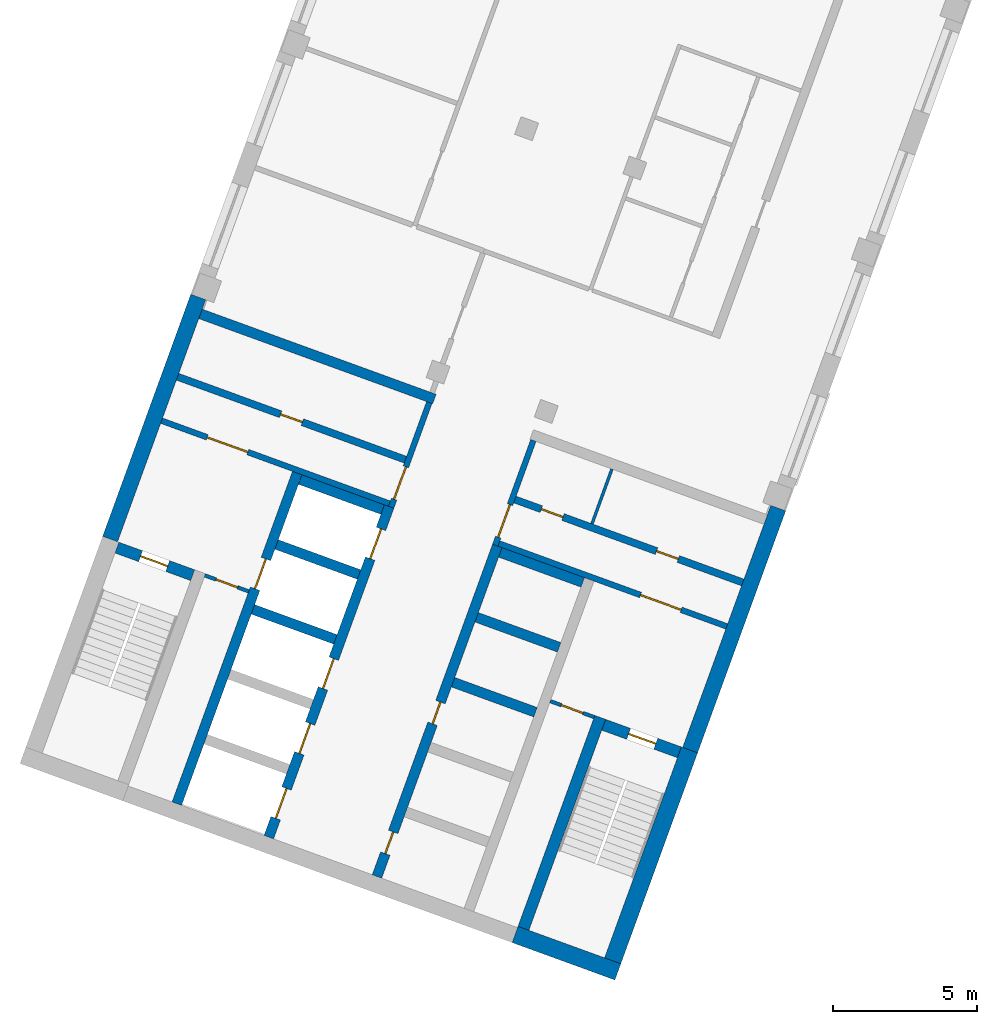
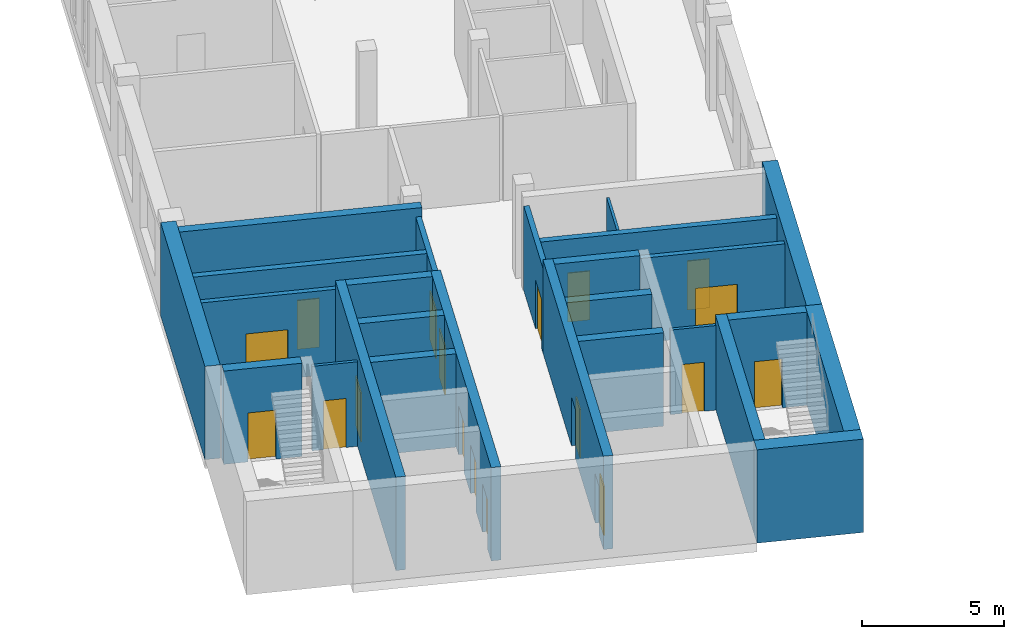
# One storey, part 2 of 8: 26 walls, 18 doors, 18 openings.
"""IFC4 building model written with IfcOpenShell, lengths in metres."""

from ifc_helpers import new_model, si_unit, direction, frame, frame_2d, origin, place, context, subcontext, project, spatial, rectangle, extrude, material, layer, layer_set, type_object, element, fill, save


model = new_model("IFC4")

# Units and contexts
model_context = context("Model", 3, precision=1e-05, world=origin(), true_north=direction((0.0, 1.0)))
body_context = subcontext(model_context, "Body", "Model", "MODEL_VIEW")
ifc_project = project(units=[si_unit("LENGTHUNIT", "METRE"), si_unit("AREAUNIT", "SQUARE_METRE"), si_unit("VOLUMEUNIT", "CUBIC_METRE"), si_unit("PLANEANGLEUNIT", "RADIAN"), si_unit("MASSUNIT", "GRAM", prefix="KILO")], contexts=[model_context])

# Site, building, storey
site_placement = place(None, origin())
site = spatial("IfcSite", under=ifc_project, at=site_placement, CompositionType="ELEMENT")
building_placement = place(site_placement, origin())
building = spatial("IfcBuilding", under=site, at=building_placement, Name="Skarvind Civic Tower", CompositionType="ELEMENT")
storey_placement = place(building_placement, frame((0.0, 0.0, 138.5)))
storey = spatial("IfcBuildingStorey", under=building, at=storey_placement, Name="L32", CompositionType="ELEMENT", Elevation=138.5)

# Wall, opening, door
ifc_material_1 = material(Name="Fire-rated masonry partition", Category="masonry")
ifc_layer_1 = layer(ifc_material_1, 0.199951171875)
ifc_layer_set_1 = layer_set([ifc_layer_1], Name="Core enclosure wall 200")
wall_type_1 = type_object("IfcWallType", Name="Core enclosure wall 200", PredefinedType="PARTITIONING", material=ifc_layer_set_1)
wall_1_placement = place(storey_placement, frame((31.45947265625, 93.67822265625, 0.0), z_axis=(0.0, 0.0, 1.0), x_axis=(0.341985870128, 0.939705094502, 0.0)))
wall_1 = element("IfcWall", 1, at=wall_1_placement, inside=storey, type_object=wall_type_1, Name="Core wall C2", PredefinedType="PARTITIONING", context=body_context, shape_type="SweptSolid", body=[
    extrude(rectangle(XDim=3.875, YDim=0.199951171875, at=frame_2d((1.9375, 0.0))), origin(), (0.0, 0.0, 1.0), 3.625),
])
opening_1_placement = place(wall_1_placement, frame((0.300048828125, 0.0, 0.0)))
opening_1 = element("IfcOpeningElement", 2, at=opening_1_placement, cuts=wall_1, Name="Opening D-L32-C2-07", PredefinedType="OPENING", context=body_context, shape_type="SweptSolid", body=[
    extrude(rectangle(XDim=1.199951171875, YDim=2.10009765625, at=frame_2d((0.60009765625, 1.050048828125))), frame((0.0, 0.10986328125, 0.0), z_axis=(0.0, -1.0, 0.0), x_axis=(1.0, 0.0, 0.0)), (0.0, 0.0, 1.0), 0.219970703125),
])
ifc_material_2 = material(Name="Fire-rated steel door", Category="steel")
door_type_1 = type_object("IfcDoorType", Name="Core lobby door 1200", OperationType="NOTDEFINED", PredefinedType="DOOR", material=ifc_material_2)
door_1_placement = place(opening_1_placement, origin())
door_1 = element("IfcDoor", 3, at=door_1_placement, inside=storey, type_object=door_type_1, Name="Fire door", OperationType="DOUBLE_DOOR_SINGLE_SWING", OverallHeight=2.10009765625, OverallWidth=1.199951171875, PredefinedType="DOOR", context=body_context, shape_type="SweptSolid", body=[
    extrude(rectangle(XDim=1.199951171875, YDim=2.10009765625, at=frame_2d((0.60009765625, 1.050048828125))), frame((0.0, 0.02490234375, 0.0), z_axis=(0.0, -1.0, 0.0), x_axis=(1.0, 0.0, 0.0)), (0.0, 0.0, 1.0), 0.050048828125),
])
fill(opening_1, door_1)

wall_2_placement = place(storey_placement, frame((23.482666015625, 96.68798828125, 0.0), z_axis=(0.0, 0.0, 1.0), x_axis=(0.939691007314, -0.342024576271, 0.0)))
wall_2 = element("IfcWall", 4, at=wall_2_placement, inside=storey, type_object=wall_type_1, Name="Core wall C2", PredefinedType="PARTITIONING", context=body_context, shape_type="SweptSolid", body=[
    extrude(rectangle(XDim=8.425048828125, YDim=0.199951171875, at=frame_2d((4.21240234375, 0.0))), origin(), (0.0, 0.0, 1.0), 3.625),
])
opening_2_placement = place(wall_2_placement, frame((1.6875, 0.0, 0.0)))
opening_2 = element("IfcOpeningElement", 5, at=opening_2_placement, cuts=wall_2, Name="Opening D-L32-C2-08", PredefinedType="OPENING", context=body_context, shape_type="SweptSolid", body=[
    extrude(rectangle(XDim=1.5, YDim=2.10009765625, at=frame_2d((0.75, 1.050048828125))), frame((0.0, 0.10986328125, 0.0), z_axis=(0.0, -1.0, 0.0), x_axis=(1.0, 0.0, 0.0)), (0.0, 0.0, 1.0), 0.219970703125),
])
door_type_2 = type_object("IfcDoorType", Name="Fire door 1500", OperationType="NOTDEFINED", PredefinedType="DOOR", material=ifc_material_2)
door_2_placement = place(opening_2_placement, origin())
door_2 = element("IfcDoor", 6, at=door_2_placement, inside=storey, type_object=door_type_2, Name="Fire door", OperationType="DOUBLE_DOOR_SINGLE_SWING", OverallHeight=2.10009765625, OverallWidth=1.5, PredefinedType="DOOR", context=body_context, shape_type="SweptSolid", body=[
    extrude(rectangle(XDim=1.5, YDim=2.10009765625, at=frame_2d((0.75, 1.050048828125))), frame((0.0, 0.02490234375, 0.0), z_axis=(0.0, -1.0, 0.0), x_axis=(1.0, 0.0, 0.0)), (0.0, 0.0, 1.0), 0.050048828125),
])
fill(opening_2, door_2)

wall_3_placement = place(storey_placement, frame((36.402587890625, 96.0029296875, 0.0), z_axis=(0.0, 0.0, 1.0), x_axis=(-0.342041503764, -0.939684845947, 0.0)))
wall_3 = element("IfcWall", 7, at=wall_3_placement, inside=storey, type_object=wall_type_1, Name="Core wall C2", PredefinedType="PARTITIONING", context=body_context, shape_type="SweptSolid", body=[
    extrude(rectangle(XDim=3.875, YDim=0.199951171875, at=frame_2d((1.9375, 0.0))), origin(), (0.0, 0.0, 1.0), 3.625),
])
opening_3_placement = place(wall_3_placement, frame((2.375, 0.0, 0.0)))
opening_3 = element("IfcOpeningElement", 8, at=opening_3_placement, cuts=wall_3, Name="Opening D-L32-C2-12", PredefinedType="OPENING", context=body_context, shape_type="SweptSolid", body=[
    extrude(rectangle(XDim=1.199951171875, YDim=2.10009765625, at=frame_2d((0.60009765625, 1.050048828125))), frame((0.0, 0.10986328125, 0.0), z_axis=(0.0, -1.0, 0.0), x_axis=(1.0, 0.0, 0.0)), (0.0, 0.0, 1.0), 0.219970703125),
])
door_3_placement = place(opening_3_placement, origin())
door_3 = element("IfcDoor", 9, at=door_3_placement, inside=storey, type_object=door_type_1, Name="Fire door", OperationType="DOUBLE_DOOR_SINGLE_SWING", OverallHeight=2.10009765625, OverallWidth=1.199951171875, PredefinedType="DOOR", context=body_context, shape_type="SweptSolid", body=[
    extrude(rectangle(XDim=1.199951171875, YDim=2.10009765625, at=frame_2d((0.60009765625, 1.050048828125))), frame((0.0, 0.02490234375, 0.0), z_axis=(0.0, -1.0, 0.0), x_axis=(1.0, 0.0, 0.0)), (0.0, 0.0, 1.0), 0.050048828125),
])
fill(opening_3, door_3)

wall_4_placement = place(storey_placement, frame((35.205322265625, 92.42138671875, 0.0), z_axis=(0.0, 0.0, 1.0), x_axis=(0.939691007314, -0.342024576271, 0.0)))
wall_4 = element("IfcWall", 10, at=wall_4_placement, inside=storey, type_object=wall_type_1, Name="Core wall C2", PredefinedType="PARTITIONING", context=body_context, shape_type="SweptSolid", body=[
    extrude(rectangle(XDim=8.425048828125, YDim=0.199951171875, at=frame_2d((4.21240234375, 0.0))), origin(), (0.0, 0.0, 1.0), 3.625),
])
opening_4_placement = place(wall_4_placement, frame((5.237548828125, 0.0, 0.0)))
opening_4 = element("IfcOpeningElement", 11, at=opening_4_placement, cuts=wall_4, Name="Opening D-L32-C2-13", PredefinedType="OPENING", context=body_context, shape_type="SweptSolid", body=[
    extrude(rectangle(XDim=1.5, YDim=2.10009765625, at=frame_2d((0.75, 1.050048828125))), frame((0.0, 0.10986328125, 0.0), z_axis=(0.0, -1.0, 0.0), x_axis=(1.0, 0.0, 0.0)), (0.0, 0.0, 1.0), 0.219970703125),
])
door_4_placement = place(opening_4_placement, origin())
door_4 = element("IfcDoor", 12, at=door_4_placement, inside=storey, type_object=door_type_2, Name="Fire door", OperationType="DOUBLE_DOOR_SINGLE_SWING", OverallHeight=2.10009765625, OverallWidth=1.5, PredefinedType="DOOR", context=body_context, shape_type="SweptSolid", body=[
    extrude(rectangle(XDim=1.5, YDim=2.10009765625, at=frame_2d((0.75, 1.050048828125))), frame((0.0, 0.02490234375, 0.0), z_axis=(0.0, -1.0, 0.0), x_axis=(1.0, 0.0, 0.0)), (0.0, 0.0, 1.0), 0.050048828125),
])
fill(opening_4, door_4)

# Wall
ifc_material_3 = material(Name="Fire-rated plasterboard partition")
ifc_layer_2 = layer(ifc_material_3, 0.10009765625)
ifc_layer_set_2 = layer_set([ifc_layer_2], Name="Core partition wall 100")
wall_type_2 = type_object("IfcWallType", Name="Core partition wall 100", PredefinedType="PARTITIONING", material=ifc_layer_set_2)
wall_5_placement = place(storey_placement, frame((39.13232421875, 95.00927734375, 0.0), z_axis=(0.0, 0.0, 1.0), x_axis=(-0.342043138314, -0.939684250976, 0.0)))
element("IfcWall", 13, at=wall_5_placement, inside=storey, type_object=wall_type_2, Name="Core wall C2", PredefinedType="PARTITIONING", context=body_context, shape_type="SweptSolid", body=[
    extrude(rectangle(XDim=2.02490234375, YDim=0.10009765625, at=frame_2d((1.012451171875, 0.0))), origin(), (0.0, 0.0, 1.0), 3.625),
])

# Wall, openings, doors
ifc_material_4 = material(Name="Concrete C60", Category="concrete")
ifc_layer_3 = layer(ifc_material_4, 0.35009765625)
ifc_layer_set_3 = layer_set([ifc_layer_3], Name="Core wall 350 C60")
wall_type_3 = type_object("IfcWallType", Name="Core wall 350 C60", PredefinedType="SHEAR", material=ifc_layer_set_3)
wall_6_placement = place(storey_placement, frame((30.966552734375, 80.84814453125, 0.0), z_axis=(0.0, 0.0, 1.0), x_axis=(0.34201563943, 0.939694260058, 0.0)))
wall_6 = element("IfcWall", 14, at=wall_6_placement, inside=storey, type_object=wall_type_3, Name="Core wall C2 south lift row front L32", PredefinedType="SHEAR", context=body_context, shape_type="SweptSolid", body=[
    extrude(rectangle(XDim=12.22509765625, YDim=0.35009765625, at=frame_2d((6.112548828125, 0.0))), origin(), (0.0, 0.0, 1.0), 4.0),
])
opening_5_placement = place(wall_6_placement, frame((0.85009765625, 0.0, 0.0)))
opening_5 = element("IfcOpeningElement", 15, at=opening_5_placement, cuts=wall_6, Name="Opening D-L32-C2-05", PredefinedType="OPENING", context=body_context, shape_type="SweptSolid", body=[
    extrude(rectangle(XDim=0.800048828125, YDim=2.10009765625, at=frame_2d((0.39990234375, 1.050048828125))), frame((0.0, 0.18505859375, 0.0), z_axis=(0.0, -1.0, 0.0), x_axis=(1.0, 0.0, 0.0)), (0.0, 0.0, 1.0), 0.3701171875),
])
opening_6_placement = place(wall_6_placement, frame((5.64990234375, 0.0, 0.0)))
opening_6 = element("IfcOpeningElement", 16, at=opening_6_placement, cuts=wall_6, Name="Opening D-L32-C2-06", PredefinedType="OPENING", context=body_context, shape_type="SweptSolid", body=[
    extrude(rectangle(XDim=0.800048828125, YDim=2.10009765625, at=frame_2d((0.39990234375, 1.050048828125))), frame((0.0, 0.18505859375, 0.0), z_axis=(0.0, -1.0, 0.0), x_axis=(1.0, 0.0, 0.0)), (0.0, 0.0, 1.0), 0.3701171875),
])
door_type_3 = type_object("IfcDoorType", Name="Core riser door 800", OperationType="NOTDEFINED", PredefinedType="DOOR", material=ifc_material_2)
door_5_placement = place(opening_5_placement, origin())
door_5 = element("IfcDoor", 17, at=door_5_placement, inside=storey, type_object=door_type_3, Name="Riser door", OperationType="SINGLE_SWING_LEFT", OverallHeight=2.10009765625, OverallWidth=0.800048828125, PredefinedType="DOOR", context=body_context, shape_type="SweptSolid", body=[
    extrude(rectangle(XDim=0.800048828125, YDim=2.10009765625, at=frame_2d((0.39990234375, 1.050048828125))), frame((0.0, 0.02490234375, 0.0), z_axis=(0.0, -1.0, 0.0), x_axis=(1.0, 0.0, 0.0)), (0.0, 0.0, 1.0), 0.050048828125),
])
fill(opening_5, door_5)
door_6_placement = place(opening_6_placement, origin())
door_6 = element("IfcDoor", 18, at=door_6_placement, inside=storey, type_object=door_type_3, Name="Riser door", OperationType="SINGLE_SWING_RIGHT", OverallHeight=2.10009765625, OverallWidth=0.800048828125, PredefinedType="DOOR", context=body_context, shape_type="SweptSolid", body=[
    extrude(rectangle(XDim=0.800048828125, YDim=2.10009765625, at=frame_2d((0.39990234375, 1.050048828125))), frame((0.0, 0.02490234375, 0.0), z_axis=(0.0, -1.0, 0.0), x_axis=(1.0, 0.0, 0.0)), (0.0, 0.0, 1.0), 0.050048828125),
])
fill(opening_6, door_6)

# Walls
for number, where, z_axis, x_axis, name in (
    (19, (36.4765625, 86.557861328125, 0.0), (0.0, 0.0, 1.0), (-0.939683528043, 0.3420451244, 0.0), "Core wall C2 south lift row division 3 L32"),
    (20, (37.297607421875, 88.813232421875, 0.0), (0.0, 0.0, 1.0), (-0.939692892192, 0.342019397644, 0.0), "Core wall C2 south lift row division 4 L32"),
    (21, (38.118408203125, 91.068359375, 0.0), (0.0, 0.0, 1.0), (-0.939692892192, 0.342019397644, 0.0), "Core wall C2 south lift row division 5 L32"),
):
    element("IfcWall", number, at=place(storey_placement, frame(where, z_axis=z_axis, x_axis=x_axis)), inside=storey, type_object=wall_type_3, Name=name, PredefinedType="SHEAR", context=body_context, shape_type="SweptSolid", body=[
        extrude(rectangle(XDim=3.050048828125, YDim=0.35009765625, at=frame_2d((1.52490234375, 0.0))), origin(), (0.0, 0.0, 1.0), 4.0),
    ])

# Wall, openings, doors
wall_7_placement = place(storey_placement, frame((27.207763671875, 82.21630859375, 0.0), z_axis=(0.0, 0.0, 1.0), x_axis=(0.34201563943, 0.939694260058, 0.0)))
wall_7 = element("IfcWall", 22, at=wall_7_placement, inside=storey, type_object=wall_type_3, Name="Core wall C2 north lift row front L32", PredefinedType="SHEAR", context=body_context, shape_type="SweptSolid", body=[
    extrude(rectangle(XDim=12.22509765625, YDim=0.35009765625, at=frame_2d((6.112548828125, 0.0))), origin(), (0.0, 0.0, 1.0), 4.0),
])
opening_7_placement = place(wall_7_placement, frame((0.699951171875, 0.0, 0.0)))
opening_7 = element("IfcOpeningElement", 23, at=opening_7_placement, cuts=wall_7, Name="Opening LD34201", PredefinedType="OPENING", context=body_context, shape_type="SweptSolid", body=[
    extrude(rectangle(XDim=1.10009765625, YDim=2.10009765625, at=frame_2d((0.550048828125, 1.050048828125))), frame((0.0, 0.18505859375, 0.0), z_axis=(0.0, -1.0, 0.0), x_axis=(1.0, 0.0, 0.0)), (0.0, 0.0, 1.0), 0.3701171875),
])
opening_8_placement = place(wall_7_placement, frame((3.10009765625, 0.0, 0.0)))
opening_8 = element("IfcOpeningElement", 24, at=opening_8_placement, cuts=wall_7, Name="Opening LD34202", PredefinedType="OPENING", context=body_context, shape_type="SweptSolid", body=[
    extrude(rectangle(XDim=1.10009765625, YDim=2.10009765625, at=frame_2d((0.550048828125, 1.050048828125))), frame((0.0, 0.18505859375, 0.0), z_axis=(0.0, -1.0, 0.0), x_axis=(1.0, 0.0, 0.0)), (0.0, 0.0, 1.0), 0.3701171875),
])
opening_9_placement = place(wall_7_placement, frame((5.5, 0.0, 0.0)))
opening_9 = element("IfcOpeningElement", 25, at=opening_9_placement, cuts=wall_7, Name="Opening LD34203", PredefinedType="OPENING", context=body_context, shape_type="SweptSolid", body=[
    extrude(rectangle(XDim=1.10009765625, YDim=2.10009765625, at=frame_2d((0.550048828125, 1.050048828125))), frame((0.0, 0.18505859375, 0.0), z_axis=(0.0, -1.0, 0.0), x_axis=(1.0, 0.0, 0.0)), (0.0, 0.0, 1.0), 0.3701171875),
])
opening_10_placement = place(wall_7_placement, frame((10.300048828125, 0.0, 0.0)))
opening_10 = element("IfcOpeningElement", 26, at=opening_10_placement, cuts=wall_7, Name="Opening LD34205", PredefinedType="OPENING", context=body_context, shape_type="SweptSolid", body=[
    extrude(rectangle(XDim=1.10009765625, YDim=2.10009765625, at=frame_2d((0.550048828125, 1.050048828125))), frame((0.0, 0.18505859375, 0.0), z_axis=(0.0, -1.0, 0.0), x_axis=(1.0, 0.0, 0.0)), (0.0, 0.0, 1.0), 0.3701171875),
])
ifc_material_5 = material(Name="Stainless steel landing door", Category="steel")
door_type_4 = type_object("IfcDoorType", Name="Lift landing door 1100", OperationType="DOUBLE_DOOR_SLIDING", PredefinedType="DOOR", material=ifc_material_5)
door_7_placement = place(opening_7_placement, origin())
door_7 = element("IfcDoor", 27, at=door_7_placement, inside=storey, type_object=door_type_4, Name="Lift landing door", OperationType="DOUBLE_DOOR_SLIDING", OverallHeight=2.10009765625, OverallWidth=1.10009765625, PredefinedType="DOOR", context=body_context, shape_type="SweptSolid", body=[
    extrude(rectangle(XDim=1.10009765625, YDim=2.10009765625, at=frame_2d((0.550048828125, 1.050048828125))), frame((0.0, 0.02490234375, 0.0), z_axis=(0.0, -1.0, 0.0), x_axis=(1.0, 0.0, 0.0)), (0.0, 0.0, 1.0), 0.050048828125),
])
fill(opening_7, door_7)
door_8_placement = place(opening_8_placement, origin())
door_8 = element("IfcDoor", 28, at=door_8_placement, inside=storey, type_object=door_type_4, Name="Lift landing door", OperationType="DOUBLE_DOOR_SLIDING", OverallHeight=2.10009765625, OverallWidth=1.10009765625, PredefinedType="DOOR", context=body_context, shape_type="SweptSolid", body=[
    extrude(rectangle(XDim=1.10009765625, YDim=2.10009765625, at=frame_2d((0.550048828125, 1.050048828125))), frame((0.0, 0.02490234375, 0.0), z_axis=(0.0, -1.0, 0.0), x_axis=(1.0, 0.0, 0.0)), (0.0, 0.0, 1.0), 0.050048828125),
])
fill(opening_8, door_8)
door_9_placement = place(opening_9_placement, origin())
door_9 = element("IfcDoor", 29, at=door_9_placement, inside=storey, type_object=door_type_4, Name="Lift landing door", OperationType="DOUBLE_DOOR_SLIDING", OverallHeight=2.10009765625, OverallWidth=1.10009765625, PredefinedType="DOOR", context=body_context, shape_type="SweptSolid", body=[
    extrude(rectangle(XDim=1.10009765625, YDim=2.10009765625, at=frame_2d((0.550048828125, 1.050048828125))), frame((0.0, 0.02490234375, 0.0), z_axis=(0.0, -1.0, 0.0), x_axis=(1.0, 0.0, 0.0)), (0.0, 0.0, 1.0), 0.050048828125),
])
fill(opening_9, door_9)
door_10_placement = place(opening_10_placement, origin())
door_10 = element("IfcDoor", 30, at=door_10_placement, inside=storey, type_object=door_type_4, Name="Lift landing door", OperationType="DOUBLE_DOOR_SLIDING", OverallHeight=2.10009765625, OverallWidth=1.10009765625, PredefinedType="DOOR", context=body_context, shape_type="SweptSolid", body=[
    extrude(rectangle(XDim=1.10009765625, YDim=2.10009765625, at=frame_2d((0.550048828125, 1.050048828125))), frame((0.0, 0.02490234375, 0.0), z_axis=(0.0, -1.0, 0.0), x_axis=(1.0, 0.0, 0.0)), (0.0, 0.0, 1.0), 0.050048828125),
])
fill(opening_10, door_10)

# Wall, opening, door
wall_8_placement = place(storey_placement, frame((24.0126953125, 83.379150390625, 0.0), z_axis=(0.0, 0.0, 1.0), x_axis=(0.34201563943, 0.939694260058, 0.0)))
wall_8 = element("IfcWall", 31, at=wall_8_placement, inside=storey, type_object=wall_type_3, Name="Core wall C2 north lift row back L32", PredefinedType="SHEAR", context=body_context, shape_type="SweptSolid", body=[
    extrude(rectangle(XDim=12.22509765625, YDim=0.35009765625, at=frame_2d((6.112548828125, 0.0))), origin(), (0.0, 0.0, 1.0), 4.0),
])
opening_11_placement = place(wall_8_placement, frame((7.949951171875, 0.0, 0.0)))
opening_11 = element("IfcOpeningElement", 32, at=opening_11_placement, cuts=wall_8, Name="Opening LD34204", PredefinedType="OPENING", context=body_context, shape_type="SweptSolid", body=[
    extrude(rectangle(XDim=1.10009765625, YDim=2.10009765625, at=frame_2d((0.550048828125, 1.050048828125))), frame((0.0, 0.18505859375, 0.0), z_axis=(0.0, -1.0, 0.0), x_axis=(1.0, 0.0, 0.0)), (0.0, 0.0, 1.0), 0.3701171875),
])
door_11_placement = place(opening_11_placement, origin())
door_11 = element("IfcDoor", 33, at=door_11_placement, inside=storey, type_object=door_type_4, Name="Lift landing door", OperationType="DOUBLE_DOOR_SLIDING", OverallHeight=2.10009765625, OverallWidth=1.10009765625, PredefinedType="DOOR", context=body_context, shape_type="SweptSolid", body=[
    extrude(rectangle(XDim=1.10009765625, YDim=2.10009765625, at=frame_2d((0.550048828125, 1.050048828125))), frame((0.0, 0.02490234375, 0.0), z_axis=(0.0, -1.0, 0.0), x_axis=(1.0, 0.0, 0.0)), (0.0, 0.0, 1.0), 0.050048828125),
])
fill(opening_11, door_11)

# Walls
wall_9_placement = place(storey_placement, frame((29.52294921875, 89.0888671875, 0.0), z_axis=(0.0, 0.0, 1.0), x_axis=(-0.939692892192, 0.342019397644, 0.0)))
element("IfcWall", 34, at=wall_9_placement, inside=storey, type_object=wall_type_3, Name="Core wall C2 north lift row division 3 L32", PredefinedType="SHEAR", context=body_context, shape_type="SweptSolid", body=[
    extrude(rectangle(XDim=3.050048828125, YDim=0.35009765625, at=frame_2d((1.52490234375, 0.0))), origin(), (0.0, 0.0, 1.0), 4.0),
])
wall_10_placement = place(storey_placement, frame((30.34375, 91.34423828125, 0.0), z_axis=(0.0, 0.0, 1.0), x_axis=(-0.939709254651, 0.341974438698, 0.0)))
element("IfcWall", 35, at=wall_10_placement, inside=storey, type_object=wall_type_3, Name="Core wall C2 north lift row division 4 L32", PredefinedType="SHEAR", context=body_context, shape_type="SweptSolid", body=[
    extrude(rectangle(XDim=3.0498046875, YDim=0.35009765625, at=frame_2d((1.52490234375, 0.0))), origin(), (0.0, 0.0, 1.0), 4.0),
])
wall_11_placement = place(storey_placement, frame((31.16455078125, 93.599365234375, 0.0), z_axis=(0.0, 0.0, 1.0), x_axis=(-0.939683528043, 0.3420451244, 0.0)))
element("IfcWall", 36, at=wall_11_placement, inside=storey, type_object=wall_type_3, Name="Core wall C2 north lift row division 5 L32", PredefinedType="SHEAR", context=body_context, shape_type="SweptSolid", body=[
    extrude(rectangle(XDim=3.050048828125, YDim=0.35009765625, at=frame_2d((1.52490234375, 0.0))), origin(), (0.0, 0.0, 1.0), 4.0),
])
wall_12_placement = place(storey_placement, frame((32.9619140625, 97.44140625, 0.0), z_axis=(0.0, 0.0, 1.0), x_axis=(-0.939689545667, 0.342028592028, 0.0)))
element("IfcWall", 37, at=wall_12_placement, inside=storey, type_object=wall_type_3, Name="Core wall C2 north inner face L32", PredefinedType="SHEAR", context=body_context, shape_type="SweptSolid", body=[
    extrude(rectangle(XDim=8.64990234375, YDim=0.35009765625, at=frame_2d((4.324951171875, 0.0))), origin(), (0.0, 0.0, 1.0), 4.0),
])
ifc_layer_4 = layer(ifc_material_4, 0.39990234375)
ifc_layer_set_4 = layer_set([ifc_layer_4], Name="Core wall 400 C60")
wall_type_4 = type_object("IfcWallType", Name="Core wall 400 C60", PredefinedType="SHEAR", material=ifc_layer_set_4)
wall_13_placement = place(storey_placement, frame((36.057861328125, 79.04833984375, 0.0), z_axis=(0.0, 0.0, 1.0), x_axis=(0.342016982193, 0.939693771338, 0.0)))
element("IfcWall", 38, at=wall_13_placement, inside=storey, type_object=wall_type_4, Name="Core wall C2 south stair inner L32", PredefinedType="SHEAR", context=body_context, shape_type="SweptSolid", body=[
    extrude(rectangle(XDim=7.800048828125, YDim=0.39990234375, at=frame_2d((3.89990234375, 0.0))), origin(), (0.0, 0.0, 1.0), 4.0),
])

# Wall, opening, door
wall_14_placement = place(storey_placement, frame((41.476318359375, 85.163818359375, 0.0), z_axis=(0.0, 0.0, 1.0), x_axis=(-0.939678810556, 0.342058084236, 0.0)))
wall_14 = element("IfcWall", 39, at=wall_14_placement, inside=storey, type_object=wall_type_4, Name="Core wall C2 south stair end L32", PredefinedType="SHEAR", context=body_context, shape_type="SweptSolid", body=[
    extrude(rectangle(XDim=2.800048828125, YDim=0.39990234375, at=frame_2d((1.39990234375, 0.0))), origin(), (0.0, 0.0, 1.0), 4.0),
])
opening_12_placement = place(wall_14_placement, frame((0.875, 0.0, 0.0)))
opening_12 = element("IfcOpeningElement", 40, at=opening_12_placement, cuts=wall_14, Name="Opening D-L32-C2-14", PredefinedType="OPENING", context=body_context, shape_type="SweptSolid", body=[
    extrude(rectangle(XDim=1.0, YDim=2.10009765625, at=frame_2d((0.5, 1.050048828125))), frame((0.0, 0.2099609375, 0.0), z_axis=(0.0, -1.0, 0.0), x_axis=(1.0, 0.0, 0.0)), (0.0, 0.0, 1.0), 0.419921875),
])
door_type_5 = type_object("IfcDoorType", Name="Fire door 1000", OperationType="NOTDEFINED", PredefinedType="DOOR", material=ifc_material_2)
door_12_placement = place(opening_12_placement, origin())
door_12 = element("IfcDoor", 41, at=door_12_placement, inside=storey, type_object=door_type_5, Name="Fire door", OperationType="SINGLE_SWING_RIGHT", OverallHeight=2.10009765625, OverallWidth=1.0, PredefinedType="DOOR", context=body_context, shape_type="SweptSolid", body=[
    extrude(rectangle(XDim=1.0, YDim=2.10009765625, at=frame_2d((0.5, 1.050048828125))), frame((0.0, 0.02490234375, 0.0), z_axis=(0.0, -1.0, 0.0), x_axis=(1.0, 0.0, 0.0)), (0.0, 0.0, 1.0), 0.050048828125),
])
fill(opening_12, door_12)

wall_15_placement = place(storey_placement, frame((24.56201171875, 91.3203125, 0.0), z_axis=(0.0, 0.0, 1.0), x_axis=(-0.939717030584, 0.341953070509, 0.0)))
wall_15 = element("IfcWall", 42, at=wall_15_placement, inside=storey, type_object=wall_type_4, Name="Core wall C2 north stair end L32", PredefinedType="SHEAR", context=body_context, shape_type="SweptSolid", body=[
    extrude(rectangle(XDim=2.800048828125, YDim=0.39990234375, at=frame_2d((1.39990234375, 0.0))), origin(), (0.0, 0.0, 1.0), 4.0),
])
opening_13_placement = place(wall_15_placement, frame((0.925048828125, 0.0, 0.0)))
opening_13 = element("IfcOpeningElement", 43, at=opening_13_placement, cuts=wall_15, Name="Opening D-L32-C2-09", PredefinedType="OPENING", context=body_context, shape_type="SweptSolid", body=[
    extrude(rectangle(XDim=1.0, YDim=2.10009765625, at=frame_2d((0.5, 1.050048828125))), frame((0.0, 0.2099609375, 0.0), z_axis=(0.0, -1.0, 0.0), x_axis=(1.0, 0.0, 0.0)), (0.0, 0.0, 1.0), 0.419921875),
])
door_13_placement = place(opening_13_placement, origin())
door_13 = element("IfcDoor", 44, at=door_13_placement, inside=storey, type_object=door_type_5, Name="Fire door", OperationType="SINGLE_SWING_LEFT", OverallHeight=2.10009765625, OverallWidth=1.0, PredefinedType="DOOR", context=body_context, shape_type="SweptSolid", body=[
    extrude(rectangle(XDim=1.0, YDim=2.10009765625, at=frame_2d((0.5, 1.050048828125))), frame((0.0, 0.02490234375, 0.0), z_axis=(0.0, -1.0, 0.0), x_axis=(1.0, 0.0, 0.0)), (0.0, 0.0, 1.0), 0.050048828125),
])
fill(opening_13, door_13)

# Walls
ifc_layer_5 = layer(ifc_material_4, 0.550048828125)
ifc_layer_set_5 = layer_set([ifc_layer_5], Name="Core wall 550 C60")
wall_type_5 = type_object("IfcWallType", Name="Core wall 550 C60", PredefinedType="SHEAR", material=ifc_layer_set_5)
wall_16_placement = place(storey_placement, frame((41.85009765625, 85.24072265625, 0.0), z_axis=(0.0, 0.0, 1.0), x_axis=(0.34201902012, 0.939693029598, 0.0)))
element("IfcWall", 45, at=wall_16_placement, inside=storey, type_object=wall_type_5, Name="Core wall C2 south side L32", PredefinedType="SHEAR", context=body_context, shape_type="SweptSolid", body=[
    extrude(rectangle(XDim=8.949951171875, YDim=0.550048828125, at=frame_2d((4.47509765625, 0.0))), origin(), (0.0, 0.0, 1.0), 4.0),
])
wall_17_placement = place(storey_placement, frame((21.69384765625, 92.576904296875, 0.0), z_axis=(0.0, 0.0, 1.0), x_axis=(0.342010253184, 0.939696220444, 0.0)))
element("IfcWall", 46, at=wall_17_placement, inside=storey, type_object=wall_type_5, Name="Core wall C2 north side L32", PredefinedType="SHEAR", context=body_context, shape_type="SweptSolid", body=[
    extrude(rectangle(XDim=8.9501953125, YDim=0.550048828125, at=frame_2d((4.47509765625, 0.0))), origin(), (0.0, 0.0, 1.0), 4.0),
])
ifc_layer_6 = layer(ifc_material_4, 0.60009765625)
ifc_layer_set_6 = layer_set([ifc_layer_6], Name="Core wall 600 C60")
wall_type_6 = type_object("IfcWallType", Name="Core wall 600 C60", PredefinedType="SHEAR", material=ifc_layer_set_6)
wall_18_placement = place(storey_placement, frame((39.338134765625, 77.53515625, 0.0), z_axis=(0.0, 0.0, 1.0), x_axis=(-0.939701471648, 0.341995824804, 0.0)))
element("IfcWall", 47, at=wall_18_placement, inside=storey, type_object=wall_type_6, Name="Core wall C2 tip at the south stair L32", PredefinedType="SHEAR", context=body_context, shape_type="SweptSolid", body=[
    extrude(rectangle(XDim=3.800048828125, YDim=0.60009765625, at=frame_2d((1.89990234375, 0.0))), origin(), (0.0, 0.0, 1.0), 4.0),
])
wall_19_placement = place(storey_placement, frame((39.158935546875, 77.919677734375, 0.0), z_axis=(0.0, 0.0, 1.0), x_axis=(0.342016982193, 0.939693771338, 0.0)))
element("IfcWall", 48, at=wall_19_placement, inside=storey, type_object=wall_type_6, Name="Core wall C2 south side at the stair L32", PredefinedType="SHEAR", context=body_context, shape_type="SweptSolid", body=[
    extrude(rectangle(XDim=7.800048828125, YDim=0.60009765625, at=frame_2d((3.89990234375, 0.0))), origin(), (0.0, 0.0, 1.0), 4.0),
])

# Wall, opening, door
ifc_layer_7 = layer(ifc_material_1, 0.125)
ifc_layer_set_7 = layer_set([ifc_layer_7], Name="Riser wall 125")
wall_type_7 = type_object("IfcWallType", Name="Riser wall 125", PredefinedType="PARTITIONING", material=ifc_layer_set_7)
wall_20_placement = place(storey_placement, frame((24.98486328125, 91.3125, 0.0), z_axis=(0.0, 0.0, 1.0), x_axis=(0.939705651352, -0.341984340019, 0.0)))
wall_20 = element("IfcWall", 49, at=wall_20_placement, inside=storey, type_object=wall_type_7, Name="Core wall C2", PredefinedType="PARTITIONING", context=body_context, shape_type="SweptSolid", body=[
    extrude(rectangle(XDim=1.624755859375, YDim=0.125, at=frame_2d((0.8125, 0.0))), origin(), (0.0, 0.0, 1.0), 3.625),
])
opening_14_placement = place(wall_20_placement, frame((0.41259765625, 0.0, 0.0)))
opening_14 = element("IfcOpeningElement", 50, at=opening_14_placement, cuts=wall_20, Name="Opening D-L32-C2-10", PredefinedType="OPENING", context=body_context, shape_type="SweptSolid", body=[
    extrude(rectangle(XDim=0.800048828125, YDim=2.10009765625, at=frame_2d((0.39990234375, 1.050048828125))), frame((0.0, 0.072509765625, 0.0), z_axis=(0.0, -1.0, 0.0), x_axis=(1.0, 0.0, 0.0)), (0.0, 0.0, 1.0), 0.14501953125),
])
door_14_placement = place(opening_14_placement, origin())
door_14 = element("IfcDoor", 51, at=door_14_placement, inside=storey, type_object=door_type_3, Name="Riser door", OperationType="SINGLE_SWING_RIGHT", OverallHeight=2.10009765625, OverallWidth=0.800048828125, PredefinedType="DOOR", context=body_context, shape_type="SweptSolid", body=[
    extrude(rectangle(XDim=0.800048828125, YDim=2.10009765625, at=frame_2d((0.39990234375, 1.050048828125))), frame((0.0, 0.02490234375, 0.0), z_axis=(0.0, -1.0, 0.0), x_axis=(1.0, 0.0, 0.0)), (0.0, 0.0, 1.0), 0.050048828125),
])
fill(opening_14, door_14)

wall_21_placement = place(storey_placement, frame((36.989501953125, 86.943359375, 0.0), z_axis=(0.0, 0.0, 1.0), x_axis=(0.939657357267, -0.342117013511, 0.0)))
wall_21 = element("IfcWall", 52, at=wall_21_placement, inside=storey, type_object=wall_type_7, Name="Core wall C2", PredefinedType="PARTITIONING", context=body_context, shape_type="SweptSolid", body=[
    extrude(rectangle(XDim=1.625, YDim=0.125, at=frame_2d((0.8125, 0.0))), origin(), (0.0, 0.0, 1.0), 3.625),
])
opening_15_placement = place(wall_21_placement, frame((0.41259765625, 0.0, 0.0)))
opening_15 = element("IfcOpeningElement", 53, at=opening_15_placement, cuts=wall_21, Name="Opening D-L32-C2-15", PredefinedType="OPENING", context=body_context, shape_type="SweptSolid", body=[
    extrude(rectangle(XDim=0.800048828125, YDim=2.10009765625, at=frame_2d((0.39990234375, 1.050048828125))), frame((0.0, 0.072509765625, 0.0), z_axis=(0.0, -1.0, 0.0), x_axis=(1.0, 0.0, 0.0)), (0.0, 0.0, 1.0), 0.14501953125),
])
door_15_placement = place(opening_15_placement, origin())
door_15 = element("IfcDoor", 54, at=door_15_placement, inside=storey, type_object=door_type_3, Name="Riser door", OperationType="SINGLE_SWING_LEFT", OverallHeight=2.10009765625, OverallWidth=0.800048828125, PredefinedType="DOOR", context=body_context, shape_type="SweptSolid", body=[
    extrude(rectangle(XDim=0.800048828125, YDim=2.10009765625, at=frame_2d((0.39990234375, 1.050048828125))), frame((0.0, 0.02490234375, 0.0), z_axis=(0.0, -1.0, 0.0), x_axis=(1.0, 0.0, 0.0)), (0.0, 0.0, 1.0), 0.050048828125),
])
fill(opening_15, door_15)

ifc_layer_8 = layer(ifc_material_1, 0.25)
ifc_layer_set_8 = layer_set([ifc_layer_8], Name="Service block wall 250")
wall_type_8 = type_object("IfcWallType", Name="Service block wall 250", PredefinedType="PARTITIONING", material=ifc_layer_set_8)
wall_22_placement = place(storey_placement, frame((24.03857421875, 98.215087890625, 0.0), z_axis=(0.0, 0.0, 1.0), x_axis=(0.939687617333, -0.342033889887, 0.0)))
wall_22 = element("IfcWall", 55, at=wall_22_placement, inside=storey, type_object=wall_type_8, Name="Core wall C2", PredefinedType="PARTITIONING", context=body_context, shape_type="SweptSolid", body=[
    extrude(rectangle(XDim=8.4248046875, YDim=0.25, at=frame_2d((4.21240234375, 0.0))), origin(), (0.0, 0.0, 1.0), 3.625),
])
opening_16_placement = place(wall_22_placement, frame((3.8125, 0.0, 0.0)))
opening_16 = element("IfcOpeningElement", 56, at=opening_16_placement, cuts=wall_22, Name="Opening D-L32-C2-11", PredefinedType="OPENING", context=body_context, shape_type="SweptSolid", body=[
    extrude(rectangle(XDim=0.800048828125, YDim=2.10009765625, at=frame_2d((0.39990234375, 1.050048828125))), frame((0.0, 0.135009765625, 0.0), z_axis=(0.0, -1.0, 0.0), x_axis=(1.0, 0.0, 0.0)), (0.0, 0.0, 1.0), 0.27001953125),
])
door_16_placement = place(opening_16_placement, origin())
door_16 = element("IfcDoor", 57, at=door_16_placement, inside=storey, type_object=door_type_3, Name="Riser door", OperationType="SINGLE_SWING_LEFT", OverallHeight=2.10009765625, OverallWidth=0.800048828125, PredefinedType="DOOR", context=body_context, shape_type="SweptSolid", body=[
    extrude(rectangle(XDim=0.800048828125, YDim=2.10009765625, at=frame_2d((0.39990234375, 1.050048828125))), frame((0.0, 0.02490234375, 0.0), z_axis=(0.0, -1.0, 0.0), x_axis=(1.0, 0.0, 0.0)), (0.0, 0.0, 1.0), 0.050048828125),
])
fill(opening_16, door_16)

# Wall, openings, doors
wall_23_placement = place(storey_placement, frame((35.76123046875, 93.9482421875, 0.0), z_axis=(0.0, 0.0, 1.0), x_axis=(0.93969693093, -0.342008301071, 0.0)))
wall_23 = element("IfcWall", 58, at=wall_23_placement, inside=storey, type_object=wall_type_8, Name="Core wall C2", PredefinedType="PARTITIONING", context=body_context, shape_type="SweptSolid", body=[
    extrude(rectangle(XDim=8.4248046875, YDim=0.25, at=frame_2d((4.21240234375, 0.0))), origin(), (0.0, 0.0, 1.0), 3.625),
])
opening_17_placement = place(wall_23_placement, frame((0.9775390625, 0.0, 0.0)))
opening_17 = element("IfcOpeningElement", 59, at=opening_17_placement, cuts=wall_23, Name="Opening D-L32-C2-16", PredefinedType="OPENING", context=body_context, shape_type="SweptSolid", body=[
    extrude(rectangle(XDim=0.800048828125, YDim=2.10009765625, at=frame_2d((0.39990234375, 1.050048828125))), frame((0.0, 0.135009765625, 0.0), z_axis=(0.0, -1.0, 0.0), x_axis=(1.0, 0.0, 0.0)), (0.0, 0.0, 1.0), 0.27001953125),
])
opening_18_placement = place(wall_23_placement, frame((5.239990234375, 0.0, 0.0)))
opening_18 = element("IfcOpeningElement", 60, at=opening_18_placement, cuts=wall_23, Name="Opening D-L32-C2-17", PredefinedType="OPENING", context=body_context, shape_type="SweptSolid", body=[
    extrude(rectangle(XDim=0.800048828125, YDim=2.10009765625, at=frame_2d((0.39990234375, 1.050048828125))), frame((0.0, 0.135009765625, 0.0), z_axis=(0.0, -1.0, 0.0), x_axis=(1.0, 0.0, 0.0)), (0.0, 0.0, 1.0), 0.27001953125),
])
door_17_placement = place(opening_17_placement, origin())
door_17 = element("IfcDoor", 61, at=door_17_placement, inside=storey, type_object=door_type_3, Name="Riser door", OperationType="SINGLE_SWING_RIGHT", OverallHeight=2.10009765625, OverallWidth=0.800048828125, PredefinedType="DOOR", context=body_context, shape_type="SweptSolid", body=[
    extrude(rectangle(XDim=0.800048828125, YDim=2.10009765625, at=frame_2d((0.39990234375, 1.050048828125))), frame((0.0, 0.02490234375, 0.0), z_axis=(0.0, -1.0, 0.0), x_axis=(1.0, 0.0, 0.0)), (0.0, 0.0, 1.0), 0.050048828125),
])
fill(opening_17, door_17)
door_18_placement = place(opening_18_placement, origin())
door_18 = element("IfcDoor", 62, at=door_18_placement, inside=storey, type_object=door_type_3, Name="Riser door", OperationType="SINGLE_SWING_LEFT", OverallHeight=2.10009765625, OverallWidth=0.800048828125, PredefinedType="DOOR", context=body_context, shape_type="SweptSolid", body=[
    extrude(rectangle(XDim=0.800048828125, YDim=2.10009765625, at=frame_2d((0.39990234375, 1.050048828125))), frame((0.0, 0.02490234375, 0.0), z_axis=(0.0, -1.0, 0.0), x_axis=(1.0, 0.0, 0.0)), (0.0, 0.0, 1.0), 0.050048828125),
])
fill(opening_18, door_18)

save(model, "model.ifc")
